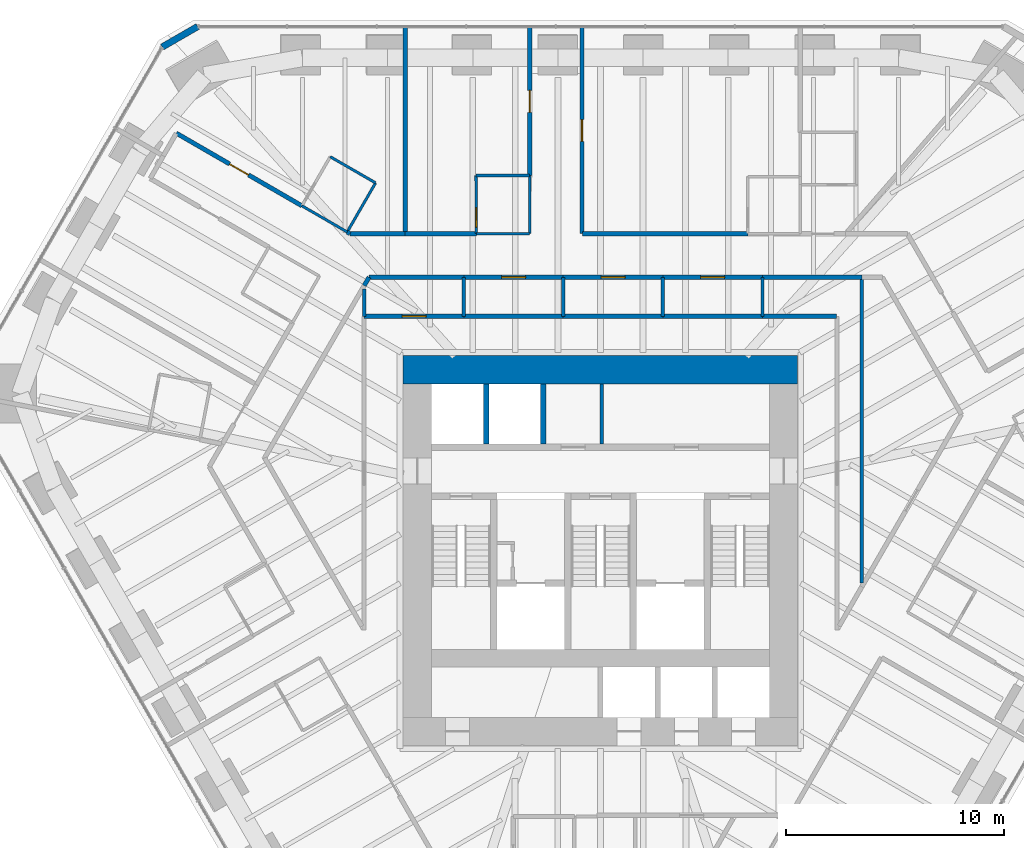
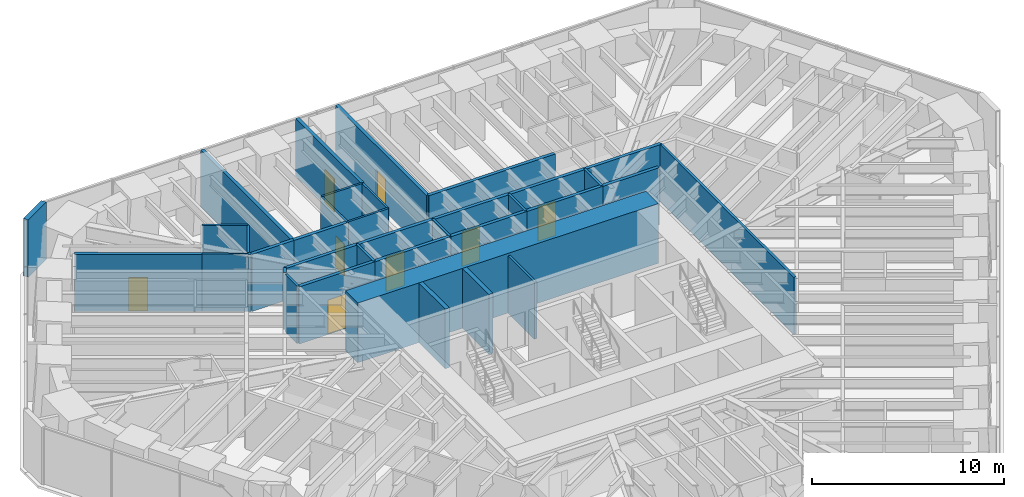
# One storey, part 14 of 17: 37 walls, 8 doors, 8 openings.
"""IFC4 building model written with IfcOpenShell, lengths in metres."""

from ifc_helpers import new_model, si_unit, direction, frame, frame_2d, origin, place, context, subcontext, project, spatial, rectangle, extrude, material, layer, layer_set, type_object, element, fill, save


model = new_model("IFC4")

# Units and contexts
model_context = context("Model", 3, precision=1e-05, world=origin(), true_north=direction((0.0, 1.0)))
body_context = subcontext(model_context, "Body", "Model", "MODEL_VIEW")
ifc_project = project(units=[si_unit("LENGTHUNIT", "METRE"), si_unit("AREAUNIT", "SQUARE_METRE"), si_unit("VOLUMEUNIT", "CUBIC_METRE"), si_unit("PLANEANGLEUNIT", "RADIAN"), si_unit("MASSUNIT", "GRAM", prefix="KILO")], contexts=[model_context])

# Site, building, storey
site_placement = place(None, origin())
site = spatial("IfcSite", under=ifc_project, at=site_placement, CompositionType="ELEMENT")
building_placement = place(site_placement, origin())
building = spatial("IfcBuilding", under=site, at=building_placement, Name="Sandreach Pilgrim Tower", CompositionType="ELEMENT")
storey_placement = place(building_placement, frame((0.0, 0.0, 150.0)))
storey = spatial("IfcBuildingStorey", under=building, at=storey_placement, Name="L37", CompositionType="ELEMENT", Elevation=150.0)

# Walls
ifc_material_1 = material(Name="Gypsum board on steel studs", Category="steel")
ifc_layer_1 = layer(ifc_material_1, 0.14990234375)
ifc_layer_set_1 = layer_set([ifc_layer_1], Name="Back of house wall 150")
wall_type_1 = type_object("IfcWallType", Name="Back of house wall 150", PredefinedType="PARTITIONING", material=ifc_layer_set_1)
wall_1_placement = place(storey_placement, frame((-10.840087890625, 10.449951171875, 0.0), z_axis=(0.0, 0.0, 1.0), x_axis=(0.0, -1.0, 0.0)))
element("IfcWall", 1, at=wall_1_placement, inside=storey, type_object=wall_type_1, Name="Back of house wall L37-040", PredefinedType="PARTITIONING", context=body_context, shape_type="SweptSolid", body=[
    extrude(rectangle(XDim=1.25, YDim=0.14990234375, at=frame_2d((0.625, 0.0))), origin(), (0.0, 0.0, 1.0), 3.639892578125),
])
for number, where, z_axis, x_axis, name in (
    (2, (-6.27001953125, 10.989990234375, 0.0), (0.0, 0.0, 1.0), (0.0, -1.0, 0.0), "Back of house wall L37-051"),
    (3, (-1.7099609375, 10.989990234375, 0.0), (0.0, 0.0, 1.0), (0.0, -1.0, 0.0), "Back of house wall L37-070"),
    (4, (2.860107421875, 10.989990234375, 0.0), (0.0, 0.0, 1.0), (0.0, -1.0, 0.0), "Back of house wall L37-079"),
    (5, (7.429931640625, 10.989990234375, 0.0), (0.0, 0.0, 1.0), (0.0, -1.0, 0.0), "Back of house wall L37-095"),
):
    element("IfcWall", number, at=place(storey_placement, frame(where, z_axis=z_axis, x_axis=x_axis)), inside=storey, type_object=wall_type_1, Name=name, PredefinedType="PARTITIONING", context=body_context, shape_type="SweptSolid", body=[
        extrude(rectangle(XDim=1.7900390625, YDim=0.14990234375, at=frame_2d((0.89501953125, 0.0))), origin(), (0.0, 0.0, 1.0), 3.639892578125),
    ])
wall_2_placement = place(storey_placement, frame((11.989990234375, 10.989990234375, 0.0), z_axis=(0.0, 0.0, 1.0), x_axis=(0.0, -1.0, 0.0)))
element("IfcWall", 6, at=wall_2_placement, inside=storey, type_object=wall_type_1, Name="Back of house wall L37-121", PredefinedType="PARTITIONING", context=body_context, shape_type="SweptSolid", body=[
    extrude(rectangle(XDim=14.034912109375, YDim=0.14990234375, at=frame_2d((7.017578125, 0.0))), origin(), (0.0, 0.0, 1.0), 3.639892578125),
])
wall_3_placement = place(storey_placement, frame((0.0625, 3.35009765625, 0.0), z_axis=(0.0, 0.0, 1.0), x_axis=(0.0, 1.0, 0.0)))
element("IfcWall", 7, at=wall_3_placement, inside=storey, type_object=wall_type_1, Name="Core room partition L37 1", PredefinedType="PARTITIONING", context=body_context, shape_type="SweptSolid", body=[
    extrude(rectangle(XDim=2.75, YDim=0.14990234375, at=frame_2d((1.375, 0.0))), origin(), (0.0, 0.0, 1.0), 3.639892578125),
])
ifc_material_2 = material(Name="Moisture-resistant gypsum board on steel studs", Category="steel")
ifc_layer_2 = layer(ifc_material_2, 0.1201171875)
ifc_layer_set_2 = layer_set([ifc_layer_2], Name="Bathroom partition 120")
wall_type_2 = type_object("IfcWallType", Name="Bathroom partition 120", PredefinedType="PARTITIONING", material=ifc_layer_set_2)
wall_4_placement = place(storey_placement, frame((-13.70068359375, 14.268798828125, 0.0), z_axis=(0.0, 0.0, 1.0), x_axis=(0.865609526999, -0.500719628902, 0.0)))
element("IfcWall", 8, at=wall_4_placement, inside=storey, type_object=wall_type_2, Name="Bathroom partition L37-031", PredefinedType="PARTITIONING", context=body_context, shape_type="SweptSolid", body=[
    extrude(rectangle(XDim=2.4013671875, YDim=0.1201171875, at=frame_2d((1.20068359375, 0.0))), origin(), (0.0, 0.0, 1.0), 3.639892578125),
])
wall_5_placement = place(storey_placement, frame((-11.6201171875, 13.070068359375, 0.0), z_axis=(0.0, 0.0, 1.0), x_axis=(0.500291685314, 0.865856933682, 0.0)))
element("IfcWall", 9, at=wall_5_placement, inside=storey, type_object=wall_type_2, Name="Bathroom partition L37-037", PredefinedType="PARTITIONING", context=body_context, shape_type="SweptSolid", body=[
    extrude(rectangle(XDim=2.5986328125, YDim=0.1201171875, at=frame_2d((1.29931640625, 0.0))), origin(), (0.0, 0.0, 1.0), 3.639892578125),
])
wall_6_placement = place(storey_placement, frame((-10.320068359375, 15.320068359375, 0.0), z_axis=(0.0, 0.0, 1.0), x_axis=(-0.866177122335, 0.499737123639, 0.0)))
element("IfcWall", 10, at=wall_6_placement, inside=storey, type_object=wall_type_2, Name="Bathroom partition L37-043", PredefinedType="PARTITIONING", context=body_context, shape_type="SweptSolid", body=[
    extrude(rectangle(XDim=2.401123046875, YDim=0.1201171875, at=frame_2d((1.20068359375, 0.0))), origin(), (0.0, 0.0, 1.0), 3.639892578125),
])

# Wall, opening, door
wall_7_placement = place(storey_placement, frame((-5.7099609375, 15.659912109375, 0.0), z_axis=(0.0, 0.0, 1.0), x_axis=(0.003749059241, -0.999992972253, 0.0)))
wall_7 = element("IfcWall", 11, at=wall_7_placement, inside=storey, type_object=wall_type_2, Name="Bathroom partition L37-054", PredefinedType="PARTITIONING", context=body_context, shape_type="SweptSolid", body=[
    extrude(rectangle(XDim=2.669921875, YDim=0.1201171875, at=frame_2d((1.3349609375, 0.0))), origin(), (0.0, 0.0, 1.0), 3.639892578125),
])
opening_1_placement = place(wall_7_placement, frame((1.469970703125, 0.0, 0.0)))
opening_1 = element("IfcOpeningElement", 12, at=opening_1_placement, cuts=wall_7, Name="Opening D09-02B", PredefinedType="OPENING", context=body_context, shape_type="SweptSolid", body=[
    extrude(rectangle(XDim=0.89990234375, YDim=2.030029296875, at=frame_2d((0.449951171875, 1.01513671875))), frame((0.0, 0.06005859375, 0.0), z_axis=(0.0, -1.0, 0.0), x_axis=(1.0, 0.0, 0.0)), (0.0, 0.0, 1.0), 0.1201171875),
])
ifc_material_3 = material(Name="Timber door, steel frame", Category="steel")
door_type_1 = type_object("IfcDoorType", Name="Bathroom door", OperationType="SINGLE_SWING_LEFT", PredefinedType="DOOR", material=ifc_material_3)
door_1_placement = place(opening_1_placement, origin())
door_1 = element("IfcDoor", 13, at=door_1_placement, inside=storey, type_object=door_type_1, Name="Door 3702B", OperationType="SINGLE_SWING_RIGHT", OverallHeight=2.030029296875, OverallWidth=0.89990234375, PredefinedType="DOOR", context=body_context, shape_type="SweptSolid", body=[
    extrude(rectangle(XDim=0.89990234375, YDim=2.030029296875, at=frame_2d((0.449951171875, 1.01513671875))), frame((0.0, 0.02490234375, 0.0), z_axis=(0.0, -1.0, 0.0), x_axis=(1.0, 0.0, 0.0)), (0.0, 0.0, 1.0), 0.050048828125),
])
fill(opening_1, door_1)

# Walls
wall_8_placement = place(storey_placement, frame((-3.25, 12.989990234375, 0.0), z_axis=(0.0, 0.0, 1.0), x_axis=(-1.0, 0.0, 0.0)))
element("IfcWall", 14, at=wall_8_placement, inside=storey, type_object=wall_type_2, Name="Bathroom partition L37-063", PredefinedType="PARTITIONING", context=body_context, shape_type="SweptSolid", body=[
    extrude(rectangle(XDim=2.449951171875, YDim=0.1201171875, at=frame_2d((1.22509765625, 0.0))), origin(), (0.0, 0.0, 1.0), 3.639892578125),
])
wall_9_placement = place(storey_placement, frame((-3.25, 15.659912109375, 0.0), z_axis=(0.0, 0.0, 1.0), x_axis=(-1.0, 0.0, 0.0)))
element("IfcWall", 15, at=wall_9_placement, inside=storey, type_object=wall_type_2, Name="Bathroom partition L37-064", PredefinedType="PARTITIONING", context=body_context, shape_type="SweptSolid", body=[
    extrude(rectangle(XDim=2.4599609375, YDim=0.1201171875, at=frame_2d((1.22998046875, 0.0))), origin(), (0.0, 0.0, 1.0), 3.639892578125),
])
wall_10_placement = place(storey_placement, frame((-3.25, 15.659912109375, 0.0), z_axis=(0.0, 0.0, 1.0), x_axis=(0.0, -1.0, 0.0)))
element("IfcWall", 16, at=wall_10_placement, inside=storey, type_object=wall_type_2, Name="Bathroom partition L37-065", PredefinedType="PARTITIONING", context=body_context, shape_type="SweptSolid", body=[
    extrude(rectangle(XDim=2.669921875, YDim=0.1201171875, at=frame_2d((1.3349609375, 0.0))), origin(), (0.0, 0.0, 1.0), 3.639892578125),
])
ifc_material_4 = material(Name="Concrete 10000 psi", Category="concrete")
ifc_layer_3 = layer(ifc_material_4, 1.300048828125)
ifc_layer_set_3 = layer_set([ifc_layer_3], Name="Core wall 1300")
wall_type_3 = type_object("IfcWallType", Name="Core wall 1300", PredefinedType="SHEAR", material=ifc_layer_set_3)
wall_11_placement = place(storey_placement, frame((-9.050048828125, 6.75, 0.0), z_axis=(0.0, 0.0, 1.0), x_axis=(1.0, 0.0, 0.0)))
element("IfcWall", 17, at=wall_11_placement, inside=storey, type_object=wall_type_3, Name="Core wall N L37", PredefinedType="SHEAR", context=body_context, shape_type="SweptSolid", body=[
    extrude(rectangle(XDim=18.10009765625, YDim=1.300048828125, at=frame_2d((9.050048828125, 0.0))), origin(), (0.0, 0.0, 1.0), 3.800048828125),
])

# Wall, opening, door
ifc_material_5 = material(Name="Gypsum board on steel studs, two layers each side", Category="steel")
ifc_layer_4 = layer(ifc_material_5, 0.199951171875)
ifc_layer_set_4 = layer_set([ifc_layer_4], Name="Corridor wall 200")
wall_type_4 = type_object("IfcWallType", Name="Corridor wall 200", PredefinedType="PARTITIONING", material=ifc_layer_set_4)
wall_12_placement = place(storey_placement, frame((-19.4599609375, 17.60009765625, 0.0), z_axis=(0.0, 0.0, 1.0), x_axis=(0.865623013862, -0.50069631302, 0.0)))
wall_12 = element("IfcWall", 18, at=wall_12_placement, inside=storey, type_object=wall_type_4, Name="Corridor wall L37-011", PredefinedType="PARTITIONING", context=body_context, shape_type="SweptSolid", body=[
    extrude(rectangle(XDim=6.6533203125, YDim=0.199951171875, at=frame_2d((3.32666015625, 0.0))), origin(), (0.0, 0.0, 1.0), 3.639892578125),
])
opening_2_placement = place(wall_12_placement, frame((2.82666015625, 0.0, 0.0)))
opening_2 = element("IfcOpeningElement", 19, at=opening_2_placement, cuts=wall_12, Name="Opening D10-01", PredefinedType="OPENING", context=body_context, shape_type="SweptSolid", body=[
    extrude(rectangle(XDim=1.0, YDim=2.1298828125, at=frame_2d((0.5, 1.06494140625))), frame((0.0, 0.10009765625, 0.0), z_axis=(0.0, -1.0, 0.0), x_axis=(1.0, 0.0, 0.0)), (0.0, 0.0, 1.0), 0.199951171875),
])
ifc_material_6 = material(Name="Steel door and frame", Category="steel")
door_type_2 = type_object("IfcDoorType", Name="Guest room entry door", OperationType="SINGLE_SWING_LEFT", PredefinedType="DOOR", material=ifc_material_6)
door_2_placement = place(opening_2_placement, origin())
door_2 = element("IfcDoor", 20, at=door_2_placement, inside=storey, type_object=door_type_2, Name="Door 3701", OperationType="SINGLE_SWING_LEFT", OverallHeight=2.1298828125, OverallWidth=1.0, PredefinedType="DOOR", context=body_context, shape_type="SweptSolid", body=[
    extrude(rectangle(XDim=1.0, YDim=2.1298828125, at=frame_2d((0.5, 1.06494140625))), frame((0.0, 0.02490234375, 0.0), z_axis=(0.0, -1.0, 0.0), x_axis=(1.0, 0.0, 0.0)), (0.0, 0.0, 1.0), 0.050048828125),
])
fill(opening_2, door_2)

# Walls
wall_13_placement = place(storey_placement, frame((-11.6220703125, 13.06640625, 0.0), z_axis=(0.0, 0.0, 1.0), x_axis=(0.865572302129, -0.500783975169, 0.0)))
element("IfcWall", 21, at=wall_13_placement, inside=storey, type_object=wall_type_4, Name="Corridor wall L37-036", PredefinedType="PARTITIONING", context=body_context, shape_type="SweptSolid", body=[
    extrude(rectangle(XDim=0.152587890625, YDim=0.199951171875, at=frame_2d((0.076171875, 0.0))), origin(), (0.0, 0.0, 1.0), 3.639892578125),
])
wall_14_placement = place(storey_placement, frame((-10.840087890625, 10.610107421875, 0.0), z_axis=(0.0, 0.0, 1.0), x_axis=(0.501518373175, 0.865146994081, 0.0)))
element("IfcWall", 22, at=wall_14_placement, inside=storey, type_object=wall_type_4, Name="Corridor wall L37-041", PredefinedType="PARTITIONING", context=body_context, shape_type="SweptSolid", body=[
    extrude(rectangle(XDim=0.439208984375, YDim=0.199951171875, at=frame_2d((0.2197265625, 0.0))), origin(), (0.0, 0.0, 1.0), 3.639892578125),
])
wall_15_placement = place(storey_placement, frame((-10.6201171875, 10.989990234375, 0.0), z_axis=(0.0, 0.0, 1.0), x_axis=(1.0, 0.0, 0.0)))
element("IfcWall", 23, at=wall_15_placement, inside=storey, type_object=wall_type_4, Name="Corridor wall L37-042", PredefinedType="PARTITIONING", context=body_context, shape_type="SweptSolid", body=[
    extrude(rectangle(XDim=4.35009765625, YDim=0.199951171875, at=frame_2d((2.175048828125, 0.0))), origin(), (0.0, 0.0, 1.0), 3.639892578125),
])
wall_16_placement = place(storey_placement, frame((-8.9599609375, 12.989990234375, 0.0), z_axis=(0.0, 0.0, 1.0), x_axis=(-1.0, 0.0, 0.0)))
element("IfcWall", 24, at=wall_16_placement, inside=storey, type_object=wall_type_4, Name="Corridor wall L37-046", PredefinedType="PARTITIONING", context=body_context, shape_type="SweptSolid", body=[
    extrude(rectangle(XDim=2.530029296875, YDim=0.199951171875, at=frame_2d((1.26513671875, 0.0))), origin(), (0.0, 0.0, 1.0), 3.639892578125),
])

# Wall, opening, door
wall_17_placement = place(storey_placement, frame((-6.27001953125, 9.199951171875, 0.0), z_axis=(0.0, 0.0, 1.0), x_axis=(-1.0, 0.0, 0.0)))
wall_17 = element("IfcWall", 25, at=wall_17_placement, inside=storey, type_object=wall_type_4, Name="Corridor wall L37-050", PredefinedType="PARTITIONING", context=body_context, shape_type="SweptSolid", body=[
    extrude(rectangle(XDim=4.570068359375, YDim=0.199951171875, at=frame_2d((2.28515625, 0.0))), origin(), (0.0, 0.0, 1.0), 3.639892578125),
])
opening_3_placement = place(wall_17_placement, frame((1.735107421875, 0.0, 0.0)))
opening_3 = element("IfcOpeningElement", 26, at=opening_3_placement, cuts=wall_17, Name="Opening D11H-M02", PredefinedType="OPENING", context=body_context, shape_type="SweptSolid", body=[
    extrude(rectangle(XDim=1.10009765625, YDim=2.199951171875, at=frame_2d((0.550048828125, 1.10009765625))), frame((0.0, 0.10009765625, 0.0), z_axis=(0.0, -1.0, 0.0), x_axis=(1.0, 0.0, 0.0)), (0.0, 0.0, 1.0), 0.199951171875),
])
ifc_material_7 = material(Name="Steel door and frame", Category="steel")
door_type_3 = type_object("IfcDoorType", Name="Back of house door", OperationType="SINGLE_SWING_LEFT", PredefinedType="DOOR", material=ifc_material_7)
door_3_placement = place(opening_3_placement, origin())
door_3 = element("IfcDoor", 27, at=door_3_placement, inside=storey, type_object=door_type_3, Name="Door 37M02", OperationType="SINGLE_SWING_LEFT", OverallHeight=2.199951171875, OverallWidth=1.10009765625, PredefinedType="DOOR", context=body_context, shape_type="SweptSolid", body=[
    extrude(rectangle(XDim=1.10009765625, YDim=2.199951171875, at=frame_2d((0.550048828125, 1.10009765625))), frame((0.0, 0.02490234375, 0.0), z_axis=(0.0, -1.0, 0.0), x_axis=(1.0, 0.0, 0.0)), (0.0, 0.0, 1.0), 0.050048828125),
])
fill(opening_3, door_3)

wall_18_placement = place(storey_placement, frame((-6.27001953125, 10.989990234375, 0.0), z_axis=(0.0, 0.0, 1.0), x_axis=(1.0, 0.0, 0.0)))
wall_18 = element("IfcWall", 28, at=wall_18_placement, inside=storey, type_object=wall_type_4, Name="Corridor wall L37-052", PredefinedType="PARTITIONING", context=body_context, shape_type="SweptSolid", body=[
    extrude(rectangle(XDim=4.56005859375, YDim=0.199951171875, at=frame_2d((2.280029296875, 0.0))), origin(), (0.0, 0.0, 1.0), 3.639892578125),
])
opening_4_placement = place(wall_18_placement, frame((1.72998046875, 0.0, 0.0)))
opening_4 = element("IfcOpeningElement", 29, at=opening_4_placement, cuts=wall_18, Name="Opening D11H-M03", PredefinedType="OPENING", context=body_context, shape_type="SweptSolid", body=[
    extrude(rectangle(XDim=1.10009765625, YDim=2.199951171875, at=frame_2d((0.550048828125, 1.10009765625))), frame((0.0, 0.10009765625, 0.0), z_axis=(0.0, -1.0, 0.0), x_axis=(1.0, 0.0, 0.0)), (0.0, 0.0, 1.0), 0.199951171875),
])
door_4_placement = place(opening_4_placement, origin())
door_4 = element("IfcDoor", 30, at=door_4_placement, inside=storey, type_object=door_type_3, Name="Door 37M03", OperationType="SINGLE_SWING_LEFT", OverallHeight=2.199951171875, OverallWidth=1.10009765625, PredefinedType="DOOR", context=body_context, shape_type="SweptSolid", body=[
    extrude(rectangle(XDim=1.10009765625, YDim=2.199951171875, at=frame_2d((0.550048828125, 1.10009765625))), frame((0.0, 0.02490234375, 0.0), z_axis=(0.0, -1.0, 0.0), x_axis=(1.0, 0.0, 0.0)), (0.0, 0.0, 1.0), 0.050048828125),
])
fill(opening_4, door_4)

# Wall
wall_19_placement = place(storey_placement, frame((-5.699951171875, 12.989990234375, 0.0), z_axis=(0.0, 0.0, 1.0), x_axis=(-1.0, 0.0, 0.0)))
element("IfcWall", 31, at=wall_19_placement, inside=storey, type_object=wall_type_4, Name="Corridor wall L37-055", PredefinedType="PARTITIONING", context=body_context, shape_type="SweptSolid", body=[
    extrude(rectangle(XDim=3.260009765625, YDim=0.199951171875, at=frame_2d((1.6298828125, 0.0))), origin(), (0.0, 0.0, 1.0), 3.639892578125),
])

# Wall, opening, door
wall_20_placement = place(storey_placement, frame((-3.25, 22.4599609375, 0.0), z_axis=(0.0, 0.0, 1.0), x_axis=(0.0, -1.0, 0.0)))
wall_20 = element("IfcWall", 32, at=wall_20_placement, inside=storey, type_object=wall_type_4, Name="Corridor wall L37-066", PredefinedType="PARTITIONING", context=body_context, shape_type="SweptSolid", body=[
    extrude(rectangle(XDim=6.800048828125, YDim=0.199951171875, at=frame_2d((3.39990234375, 0.0))), origin(), (0.0, 0.0, 1.0), 3.639892578125),
])
opening_5_placement = place(wall_20_placement, frame((2.89990234375, 0.0, 0.0)))
opening_5 = element("IfcOpeningElement", 33, at=opening_5_placement, cuts=wall_20, Name="Opening D10-02", PredefinedType="OPENING", context=body_context, shape_type="SweptSolid", body=[
    extrude(rectangle(XDim=1.0, YDim=2.1298828125, at=frame_2d((0.5, 1.06494140625))), frame((0.0, 0.10009765625, 0.0), z_axis=(0.0, -1.0, 0.0), x_axis=(1.0, 0.0, 0.0)), (0.0, 0.0, 1.0), 0.199951171875),
])
door_5_placement = place(opening_5_placement, origin())
door_5 = element("IfcDoor", 34, at=door_5_placement, inside=storey, type_object=door_type_2, Name="Door 3702", OperationType="SINGLE_SWING_LEFT", OverallHeight=2.1298828125, OverallWidth=1.0, PredefinedType="DOOR", context=body_context, shape_type="SweptSolid", body=[
    extrude(rectangle(XDim=1.0, YDim=2.1298828125, at=frame_2d((0.5, 1.06494140625))), frame((0.0, 0.02490234375, 0.0), z_axis=(0.0, -1.0, 0.0), x_axis=(1.0, 0.0, 0.0)), (0.0, 0.0, 1.0), 0.050048828125),
])
fill(opening_5, door_5)

# Wall
wall_21_placement = place(storey_placement, frame((-1.7099609375, 9.199951171875, 0.0), z_axis=(0.0, 0.0, 1.0), x_axis=(-1.0, 0.0, 0.0)))
element("IfcWall", 35, at=wall_21_placement, inside=storey, type_object=wall_type_4, Name="Corridor wall L37-069", PredefinedType="PARTITIONING", context=body_context, shape_type="SweptSolid", body=[
    extrude(rectangle(XDim=4.56005859375, YDim=0.199951171875, at=frame_2d((2.280029296875, 0.0))), origin(), (0.0, 0.0, 1.0), 3.639892578125),
])

# Wall, opening, door
wall_22_placement = place(storey_placement, frame((-1.7099609375, 10.989990234375, 0.0), z_axis=(0.0, 0.0, 1.0), x_axis=(1.0, 0.0, 0.0)))
wall_22 = element("IfcWall", 36, at=wall_22_placement, inside=storey, type_object=wall_type_4, Name="Corridor wall L37-071", PredefinedType="PARTITIONING", context=body_context, shape_type="SweptSolid", body=[
    extrude(rectangle(XDim=4.570068359375, YDim=0.199951171875, at=frame_2d((2.28515625, 0.0))), origin(), (0.0, 0.0, 1.0), 3.639892578125),
])
opening_6_placement = place(wall_22_placement, frame((1.735107421875, 0.0, 0.0)))
opening_6 = element("IfcOpeningElement", 37, at=opening_6_placement, cuts=wall_22, Name="Opening D11H-M04", PredefinedType="OPENING", context=body_context, shape_type="SweptSolid", body=[
    extrude(rectangle(XDim=1.10009765625, YDim=2.199951171875, at=frame_2d((0.550048828125, 1.10009765625))), frame((0.0, 0.10009765625, 0.0), z_axis=(0.0, -1.0, 0.0), x_axis=(1.0, 0.0, 0.0)), (0.0, 0.0, 1.0), 0.199951171875),
])
door_6_placement = place(opening_6_placement, origin())
door_6 = element("IfcDoor", 38, at=door_6_placement, inside=storey, type_object=door_type_3, Name="Door 37M04", OperationType="SINGLE_SWING_LEFT", OverallHeight=2.199951171875, OverallWidth=1.10009765625, PredefinedType="DOOR", context=body_context, shape_type="SweptSolid", body=[
    extrude(rectangle(XDim=1.10009765625, YDim=2.199951171875, at=frame_2d((0.550048828125, 1.10009765625))), frame((0.0, 0.02490234375, 0.0), z_axis=(0.0, -1.0, 0.0), x_axis=(1.0, 0.0, 0.0)), (0.0, 0.0, 1.0), 0.050048828125),
])
fill(opening_6, door_6)

wall_23_placement = place(storey_placement, frame((-0.85009765625, 12.989990234375, 0.0), z_axis=(0.0, 0.0, 1.0), x_axis=(0.0, 1.0, 0.0)))
wall_23 = element("IfcWall", 39, at=wall_23_placement, inside=storey, type_object=wall_type_4, Name="Corridor wall L37-075", PredefinedType="PARTITIONING", context=body_context, shape_type="SweptSolid", body=[
    extrude(rectangle(XDim=9.469970703125, YDim=0.199951171875, at=frame_2d((4.73486328125, 0.0))), origin(), (0.0, 0.0, 1.0), 3.639892578125),
])
opening_7_placement = place(wall_23_placement, frame((4.235107421875, 0.0, 0.0)))
opening_7 = element("IfcOpeningElement", 40, at=opening_7_placement, cuts=wall_23, Name="Opening D10-03", PredefinedType="OPENING", context=body_context, shape_type="SweptSolid", body=[
    extrude(rectangle(XDim=1.0, YDim=2.1298828125, at=frame_2d((0.5, 1.06494140625))), frame((0.0, 0.10009765625, 0.0), z_axis=(0.0, -1.0, 0.0), x_axis=(1.0, 0.0, 0.0)), (0.0, 0.0, 1.0), 0.199951171875),
])
door_7_placement = place(opening_7_placement, origin())
door_7 = element("IfcDoor", 41, at=door_7_placement, inside=storey, type_object=door_type_2, Name="Door 3703", OperationType="SINGLE_SWING_LEFT", OverallHeight=2.1298828125, OverallWidth=1.0, PredefinedType="DOOR", context=body_context, shape_type="SweptSolid", body=[
    extrude(rectangle(XDim=1.0, YDim=2.1298828125, at=frame_2d((0.5, 1.06494140625))), frame((0.0, 0.02490234375, 0.0), z_axis=(0.0, -1.0, 0.0), x_axis=(1.0, 0.0, 0.0)), (0.0, 0.0, 1.0), 0.050048828125),
])
fill(opening_7, door_7)

# Wall
wall_24_placement = place(storey_placement, frame((2.860107421875, 9.199951171875, 0.0), z_axis=(0.0, 0.0, 1.0), x_axis=(-1.0, 0.0, 0.0)))
element("IfcWall", 42, at=wall_24_placement, inside=storey, type_object=wall_type_4, Name="Corridor wall L37-078", PredefinedType="PARTITIONING", context=body_context, shape_type="SweptSolid", body=[
    extrude(rectangle(XDim=4.570068359375, YDim=0.199951171875, at=frame_2d((2.28515625, 0.0))), origin(), (0.0, 0.0, 1.0), 3.639892578125),
])

# Wall, opening, door
wall_25_placement = place(storey_placement, frame((2.860107421875, 10.989990234375, 0.0), z_axis=(0.0, 0.0, 1.0), x_axis=(1.0, 0.0, 0.0)))
wall_25 = element("IfcWall", 43, at=wall_25_placement, inside=storey, type_object=wall_type_4, Name="Corridor wall L37-080", PredefinedType="PARTITIONING", context=body_context, shape_type="SweptSolid", body=[
    extrude(rectangle(XDim=4.56982421875, YDim=0.199951171875, at=frame_2d((2.284912109375, 0.0))), origin(), (0.0, 0.0, 1.0), 3.639892578125),
])
opening_8_placement = place(wall_25_placement, frame((1.735107421875, 0.0, 0.0)))
opening_8 = element("IfcOpeningElement", 44, at=opening_8_placement, cuts=wall_25, Name="Opening D11H-M05", PredefinedType="OPENING", context=body_context, shape_type="SweptSolid", body=[
    extrude(rectangle(XDim=1.10009765625, YDim=2.199951171875, at=frame_2d((0.550048828125, 1.10009765625))), frame((0.0, 0.10009765625, 0.0), z_axis=(0.0, -1.0, 0.0), x_axis=(1.0, 0.0, 0.0)), (0.0, 0.0, 1.0), 0.199951171875),
])
door_8_placement = place(opening_8_placement, origin())
door_8 = element("IfcDoor", 45, at=door_8_placement, inside=storey, type_object=door_type_3, Name="Door 37M05", OperationType="SINGLE_SWING_LEFT", OverallHeight=2.199951171875, OverallWidth=1.10009765625, PredefinedType="DOOR", context=body_context, shape_type="SweptSolid", body=[
    extrude(rectangle(XDim=1.10009765625, YDim=2.199951171875, at=frame_2d((0.550048828125, 1.10009765625))), frame((0.0, 0.02490234375, 0.0), z_axis=(0.0, -1.0, 0.0), x_axis=(1.0, 0.0, 0.0)), (0.0, 0.0, 1.0), 0.050048828125),
])
fill(opening_8, door_8)

# Walls
wall_26_placement = place(storey_placement, frame((6.760009765625, 12.989990234375, 0.0), z_axis=(0.0, 0.0, 1.0), x_axis=(-1.0, 0.0, 0.0)))
element("IfcWall", 46, at=wall_26_placement, inside=storey, type_object=wall_type_4, Name="Corridor wall L37-088", PredefinedType="PARTITIONING", context=body_context, shape_type="SweptSolid", body=[
    extrude(rectangle(XDim=7.594970703125, YDim=0.199951171875, at=frame_2d((3.79736328125, 0.0))), origin(), (0.0, 0.0, 1.0), 3.639892578125),
])
wall_27_placement = place(storey_placement, frame((7.429931640625, 9.199951171875, 0.0), z_axis=(0.0, 0.0, 1.0), x_axis=(-1.0, 0.0, 0.0)))
element("IfcWall", 47, at=wall_27_placement, inside=storey, type_object=wall_type_4, Name="Corridor wall L37-094", PredefinedType="PARTITIONING", context=body_context, shape_type="SweptSolid", body=[
    extrude(rectangle(XDim=4.56982421875, YDim=0.199951171875, at=frame_2d((2.284912109375, 0.0))), origin(), (0.0, 0.0, 1.0), 3.639892578125),
])
wall_28_placement = place(storey_placement, frame((7.429931640625, 10.989990234375, 0.0), z_axis=(0.0, 0.0, 1.0), x_axis=(1.0, 0.0, 0.0)))
element("IfcWall", 48, at=wall_28_placement, inside=storey, type_object=wall_type_4, Name="Corridor wall L37-096", PredefinedType="PARTITIONING", context=body_context, shape_type="SweptSolid", body=[
    extrude(rectangle(XDim=4.56005859375, YDim=0.199951171875, at=frame_2d((2.280029296875, 0.0))), origin(), (0.0, 0.0, 1.0), 3.639892578125),
])
wall_29_placement = place(storey_placement, frame((10.840087890625, 9.199951171875, 0.0), z_axis=(0.0, 0.0, 1.0), x_axis=(-1.0, 0.0, 0.0)))
element("IfcWall", 49, at=wall_29_placement, inside=storey, type_object=wall_type_4, Name="Corridor wall L37-114", PredefinedType="PARTITIONING", context=body_context, shape_type="SweptSolid", body=[
    extrude(rectangle(XDim=3.41015625, YDim=0.199951171875, at=frame_2d((1.705078125, 0.0))), origin(), (0.0, 0.0, 1.0), 3.639892578125),
])
ifc_material_8 = material(Name="Double steel stud acoustic wall, gypsum board", Category="steel")
ifc_layer_5 = layer(ifc_material_8, 0.199951171875)
ifc_layer_set_5 = layer_set([ifc_layer_5], Name="Party wall 200")
wall_type_5 = type_object("IfcWallType", Name="Party wall 200", PredefinedType="PARTITIONING", material=ifc_layer_set_5)
wall_30_placement = place(storey_placement, frame((-8.9599609375, 22.4599609375, 0.0), z_axis=(0.0, 0.0, 1.0), x_axis=(0.0, -1.0, 0.0)))
element("IfcWall", 50, at=wall_30_placement, inside=storey, type_object=wall_type_5, Name="Party wall L37-047", PredefinedType="PARTITIONING", context=body_context, shape_type="SweptSolid", body=[
    extrude(rectangle(XDim=9.455078125, YDim=0.199951171875, at=frame_2d((4.7275390625, 0.0))), origin(), (0.0, 0.0, 1.0), 3.639892578125),
])
ifc_material_9 = material(Name="Gypsum shaft wall on steel studs, two layers of shaft liner board", Category="steel")
ifc_layer_6 = layer(ifc_material_9, 0.25)
ifc_layer_set_6 = layer_set([ifc_layer_6], Name="Shaft partition 250")
wall_type_6 = type_object("IfcWallType", Name="Shaft partition 250", PredefinedType="PARTITIONING", material=ifc_layer_set_6)
for number, where, z_axis, x_axis, name in (
    (51, (-5.25, 3.35009765625, 0.0), (0.0, 0.0, 1.0), (0.0, 1.0, 0.0), "Shaft partition NS0 L37"),
    (52, (-2.625, 3.35009765625, 0.0), (0.0, 0.0, 1.0), (0.0, 1.0, 0.0), "Shaft partition NS1 L37"),
):
    element("IfcWall", number, at=place(storey_placement, frame(where, z_axis=z_axis, x_axis=x_axis)), inside=storey, type_object=wall_type_6, Name=name, PredefinedType="PARTITIONING", context=body_context, shape_type="SweptSolid", body=[
        extrude(rectangle(XDim=2.75, YDim=0.25, at=frame_2d((1.375, 0.0))), origin(), (0.0, 0.0, 1.0), 3.800048828125),
    ])
ifc_material_10 = material(Name="Terracotta rainscreen on concrete", Category="masonry")
ifc_layer_7 = layer(ifc_material_10, 0.300048828125)
ifc_layer_set_7 = layer_set([ifc_layer_7], Name="Terracotta chamfer pier")
wall_type_7 = type_object("IfcWallType", Name="Terracotta chamfer pier", PredefinedType="SOLIDWALL", material=ifc_layer_set_7)
wall_31_placement = place(storey_placement, frame((-20.109619140625, 21.5537109375, 0.0), z_axis=(0.0, 0.0, 1.0), x_axis=(0.865988793993, 0.500063404658, 0.0)))
element("IfcWall", 53, at=wall_31_placement, inside=storey, type_object=wall_type_7, Name="Chamfer pier L37 NW", PredefinedType="SOLIDWALL", context=body_context, shape_type="SweptSolid", body=[
    extrude(rectangle(XDim=1.880126953125, YDim=0.300048828125, at=frame_2d((0.93994140625, 0.0))), origin(), (0.0, 0.0, 1.0), 3.639892578125),
])

save(model, "model.ifc")
